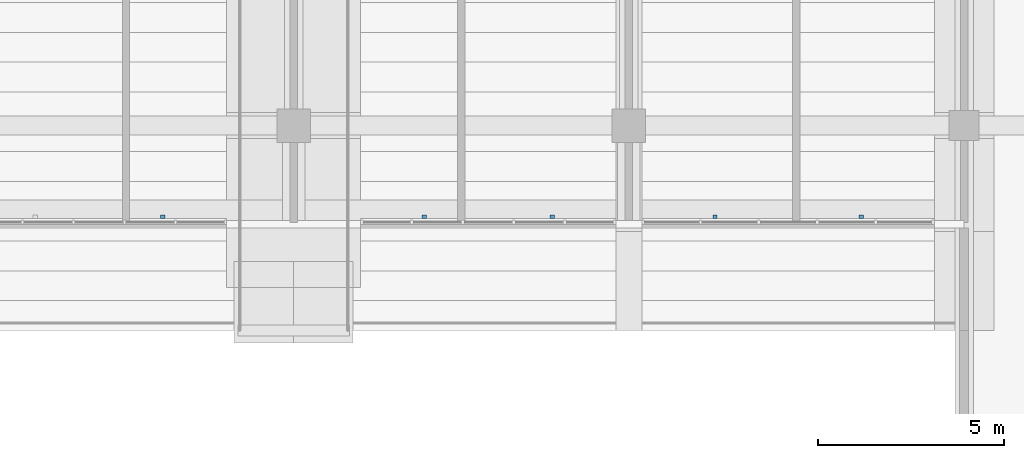
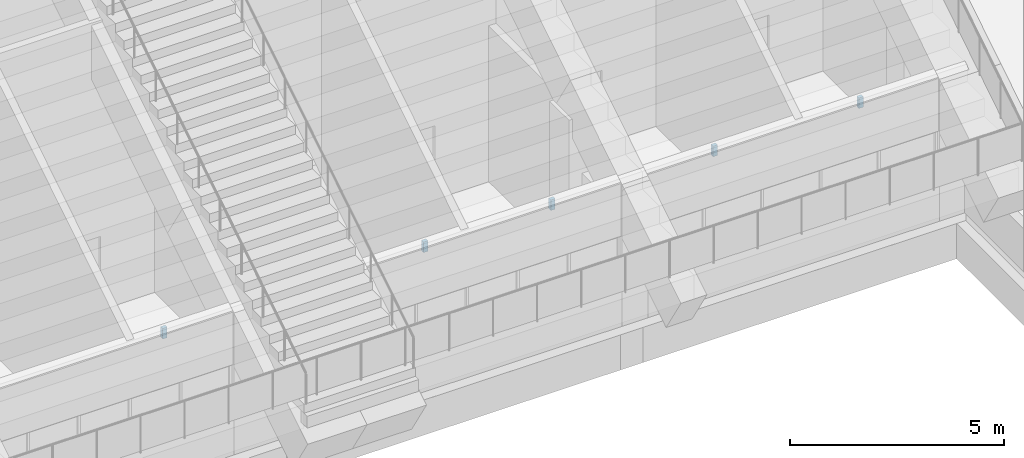
# One storey, part 123 of 182: 5 discrete accessories.
"""IFC4 building model written with IfcOpenShell, lengths in metres."""

import ifcopenshell
import ifcopenshell.guid

model = None  # the IFC model being written
_history = None  # IfcOwnerHistory: only IFC2X3 demands one
_inside = {}  # id of a spatial element -> (the spatial element, [elements in it])
_under = {}  # id of a project, library or spatial element -> (it, [spatial elements below it])
_declared = {}  # id of a project -> (the project, [libraries it declares])
_typed = {}  # id of a type object -> (the type object, [elements of that type])
_made_of = {}  # id of a material, layer set ... -> (it, [elements and type objects made of it])


def new_model(schema):
    """Start an empty IFC model of exactly this schema.

    Asked for "IFC4X3", IfcOpenShell would pick the latest addendum, in which some entities
    have other attributes; the version numbers below select the first issue.
    IFC2X3 requires an IfcOwnerHistory on every rooted entity: one is made here for all.
    """
    global model, _history
    if schema == "IFC4X3":
        model = ifcopenshell.file(schema_version=(4, 3, 0, 0))
    else:
        model = ifcopenshell.file(schema=schema)
    _inside.clear()
    _under.clear()
    _declared.clear()
    _typed.clear()
    _made_of.clear()
    _history = None
    if model.schema == "IFC2X3":
        org = make("IfcOrganization", Name="unknown")
        user = make(
            "IfcPersonAndOrganization",
            ThePerson=make("IfcPerson", FamilyName="unknown"),
            TheOrganization=org,
        )
        app = make(
            "IfcApplication",
            ApplicationDeveloper=org,
            Version="unknown",
            ApplicationFullName="unknown",
            ApplicationIdentifier="unknown",
        )
        _history = make(
            "IfcOwnerHistory",
            OwningUser=user,
            OwningApplication=app,
            ChangeAction="ADDED",
            CreationDate=0,
        )
    return model


def make(cls, **values):
    """One entity of the class cls with the attributes given. An attribute that is None is left unset."""
    return model.create_entity(
        cls, **{name: value for name, value in values.items() if value is not None}
    )


def rooted(cls, **values):
    """An entity with a GlobalId (a new one), such as an element, a storey or a relation."""
    return make(cls, GlobalId=ifcopenshell.guid.new(), OwnerHistory=_history, **values)


def si_unit(unit_type, name, prefix=None):
    """IfcSIUnit, for example si_unit("LENGTHUNIT", "METRE", prefix="MILLI")."""
    return make("IfcSIUnit", UnitType=unit_type, Prefix=prefix, Name=name)


def assignment(units):
    """IfcUnitAssignment: the units of a project."""
    return None if units is None else make("IfcUnitAssignment", Units=units)


def point(xyz):
    """IfcCartesianPoint."""
    return None if xyz is None else make("IfcCartesianPoint", Coordinates=xyz)


def direction(xyz):
    """IfcDirection."""
    return None if xyz is None else make("IfcDirection", DirectionRatios=xyz)


def frame(location, z_axis=None, x_axis=None):
    """IfcAxis2Placement3D, a coordinate frame: its origin and axes. An axis left out is left unset."""
    return make(
        "IfcAxis2Placement3D",
        Location=point(location),
        Axis=direction(z_axis),
        RefDirection=direction(x_axis),
    )


def frame_2d(location, x_axis=None):
    """IfcAxis2Placement2D, a coordinate frame in the plane: its origin and x axis."""
    return make(
        "IfcAxis2Placement2D", Location=point(location), RefDirection=direction(x_axis)
    )


def origin():
    """The frame at (0, 0, 0) with its axes left unset."""
    return frame((0.0, 0.0, 0.0))


def origin_2d():
    """The frame at (0, 0) in the plane with its x axis left unset."""
    return frame_2d((0.0, 0.0))


def place(relative_to, where):
    """IfcLocalPlacement: puts the frame where relative to a parent placement (None: the world)."""
    return make(
        "IfcLocalPlacement", PlacementRelTo=relative_to, RelativePlacement=where
    )


def context(
    kind, dimensions, precision=None, world=None, true_north=None, identifier=None
):
    """IfcGeometricRepresentationContext, for example the 3D "Model" context."""
    return make(
        "IfcGeometricRepresentationContext",
        ContextIdentifier=identifier,
        ContextType=kind,
        CoordinateSpaceDimension=dimensions,
        Precision=precision,
        WorldCoordinateSystem=world,
        TrueNorth=true_north,
    )


def subcontext(parent, identifier, kind, view, scale=None):
    """IfcGeometricRepresentationSubContext, for example "Body" below "Model"."""
    return make(
        "IfcGeometricRepresentationSubContext",
        ContextIdentifier=identifier,
        ContextType=kind,
        ParentContext=parent,
        TargetScale=scale,
        TargetView=view,
    )


def project(units=None, contexts=None):
    """IfcProject with its units and contexts."""
    return rooted(
        "IfcProject",
        Name="project",
        RepresentationContexts=contexts,
        UnitsInContext=assignment(units),
    )


def spatial(cls, under=None, at=None, **own):
    """A site, building, storey or space (cls), placed at a placement, below another one or the project."""
    s = rooted(cls, ObjectPlacement=at, **own)
    if under is not None:
        _under.setdefault(under.id(), (under, []))[1].append(s)
    return s


def profile(cls, at=None, kind="AREA", **sizes):
    """A parametric profile (cls). Its sizes go by their IFC names, for example OverallWidth=200.0."""
    return make(cls, ProfileType=kind, Position=at, **sizes)


def rectangle(**sizes):
    """IfcRectangleProfileDef."""
    return profile("IfcRectangleProfileDef", **sizes)


def extrude(swept, where, along, depth):
    """IfcExtrudedAreaSolid: the profile swept, set in the frame where, extruded along a direction by depth."""
    return make(
        "IfcExtrudedAreaSolid",
        SweptArea=swept,
        Position=where,
        ExtrudedDirection=direction(along),
        Depth=depth,
    )


def shape(context_of_items, identifier, shape_type, items):
    """IfcShapeRepresentation: the items that make up one representation, for example the "Body"."""
    return make(
        "IfcShapeRepresentation",
        ContextOfItems=context_of_items,
        RepresentationIdentifier=identifier,
        RepresentationType=shape_type,
        Items=items,
    )


def material(Name=None, Category=None):
    """IfcMaterial."""
    return make("IfcMaterial", Name=Name, Category=Category)


def made_of(thing, what):
    """Note that an element or type object is made of a material, layer set ...; save() writes the relation."""
    if what is not None:
        _made_of.setdefault(what.id(), (what, []))[1].append(thing)
    return thing


def type_object(cls, material=None, **own):
    """A type object (cls), such as IfcWallType, which elements share."""
    return made_of(rooted(cls, **own), material)


def element(
    cls,
    number,
    at=None,
    inside=None,
    cuts=None,
    type_object=None,
    material=None,
    context=None,
    identifier="Body",
    shape_type=None,
    held_by="IfcProductDefinitionShape",
    body=None,
    shapes=None,
    **own,
):
    """One element of the class cls, such as IfcWall. Its Tag is "e" and its number.

    at: its placement. inside: the storey or other place that contains it. cuts: it is an
    opening in that element (IfcRelVoidsElement). A single representation is given by context,
    identifier, shape_type and body (its items); several are given by shapes. held_by: the class
    of the entity that holds the representations. save() writes the other relations.
    """
    e = rooted(cls, Tag="e%d" % number, ObjectPlacement=at, **own)
    if body is not None:
        shapes = [shape(context, identifier, shape_type, body)]
    if shapes is not None:
        e.Representation = make(held_by, Representations=shapes)
    if inside is not None:
        _inside.setdefault(inside.id(), (inside, []))[1].append(e)
    if cuts is not None:
        rooted(
            "IfcRelVoidsElement", RelatingBuildingElement=cuts, RelatedOpeningElement=e
        )
    if type_object is not None:
        _typed.setdefault(type_object.id(), (type_object, []))[1].append(e)
    return made_of(e, material)


def aggregate(whole, parts):
    """IfcRelAggregates: a whole, such as a stair, and the parts it consists of."""
    return rooted("IfcRelAggregates", RelatingObject=whole, RelatedObjects=parts)


def save(model, path):
    """Write the relations noted so far, then the file.

    IfcRelAggregates (storeys below a building ...), IfcRelContainedInSpatialStructure (elements
    in a storey), IfcRelDefinesByType, IfcRelAssociatesMaterial and IfcRelDeclares: one each for
    every whole, place, type object, material and project.
    """
    for whole, parts in _under.values():
        aggregate(whole, parts)
    for where, things in _inside.values():
        rooted(
            "IfcRelContainedInSpatialStructure",
            RelatedElements=things,
            RelatingStructure=where,
        )
    for kind, things in _typed.values():
        rooted("IfcRelDefinesByType", RelatedObjects=things, RelatingType=kind)
    for what, things in _made_of.values():
        rooted("IfcRelAssociatesMaterial", RelatedObjects=things, RelatingMaterial=what)
    for by, libraries in _declared.values():
        rooted("IfcRelDeclares", RelatingContext=by, RelatedDefinitions=libraries)
    model.write(path)


model = new_model("IFC4")

# Units and contexts
model_context = context("Model", 3, precision=1e-05, world=origin(), true_north=direction((0.0, 1.0)))
body_context = subcontext(model_context, "Body", "Model", "MODEL_VIEW")
ifc_project = project(units=[si_unit("LENGTHUNIT", "METRE"), si_unit("AREAUNIT", "SQUARE_METRE"), si_unit("VOLUMEUNIT", "CUBIC_METRE"), si_unit("PLANEANGLEUNIT", "RADIAN"), si_unit("MASSUNIT", "GRAM", prefix="KILO")], contexts=[model_context])

# Site, building, storey
site_placement = place(None, origin())
site = spatial("IfcSite", under=ifc_project, at=site_placement, CompositionType="ELEMENT")
building_placement = place(site_placement, origin())
building = spatial("IfcBuilding", under=site, at=building_placement, Name="Silverbay Arena", CompositionType="ELEMENT")
storey_placement = place(building_placement, frame((0.0, 0.0, 11.5)))
storey = spatial("IfcBuildingStorey", under=building, at=storey_placement, Name="L02", CompositionType="ELEMENT", Elevation=11.5)

# Discrete accessories
ifc_material = material(Name="Steel S355", Category="steel")
discrete_accessory_type = type_object("IfcDiscreteAccessoryType", Name="Steel bracket plate", PredefinedType="BRACKET", material=ifc_material)
for number, where, z_axis, x_axis, name in (
    (1, (140.487548828125, 114.550048828125, 3.76416015625), (0.0, 0.0, 1.0), (1.0, 0.0, 0.0), "Fascia hanger bracket"),
    (2, (147.512451171875, 114.550048828125, 3.76416015625), (0.0, 0.0, 1.0), (1.0, 0.0, 0.0), "Fascia hanger bracket"),
    (3, (150.9375, 114.550048828125, 3.76416015625), (0.0, 0.0, 1.0), (1.0, 0.0, 0.0), "Fascia hanger bracket"),
    (4, (155.3125, 114.550048828125, 3.76416015625), (0.0, 0.0, 1.0), (1.0, 0.0, 0.0), "Fascia hanger bracket"),
    (5, (159.237548828125, 114.550048828125, 3.76416015625), (0.0, 0.0, 1.0), (1.0, 0.0, 0.0), "Fascia hanger bracket"),
):
    element("IfcDiscreteAccessory", number, at=place(storey_placement, frame(where, z_axis=z_axis, x_axis=x_axis)), inside=storey, type_object=discrete_accessory_type, Name=name, PredefinedType="BRACKET", context=body_context, shape_type="SweptSolid", body=[
        extrude(rectangle(XDim=0.1201171875, YDim=0.10009765625, at=origin_2d()), origin(), (0.0, 0.0, 1.0), 0.300048828125),
    ])

save(model, "model.ifc")
